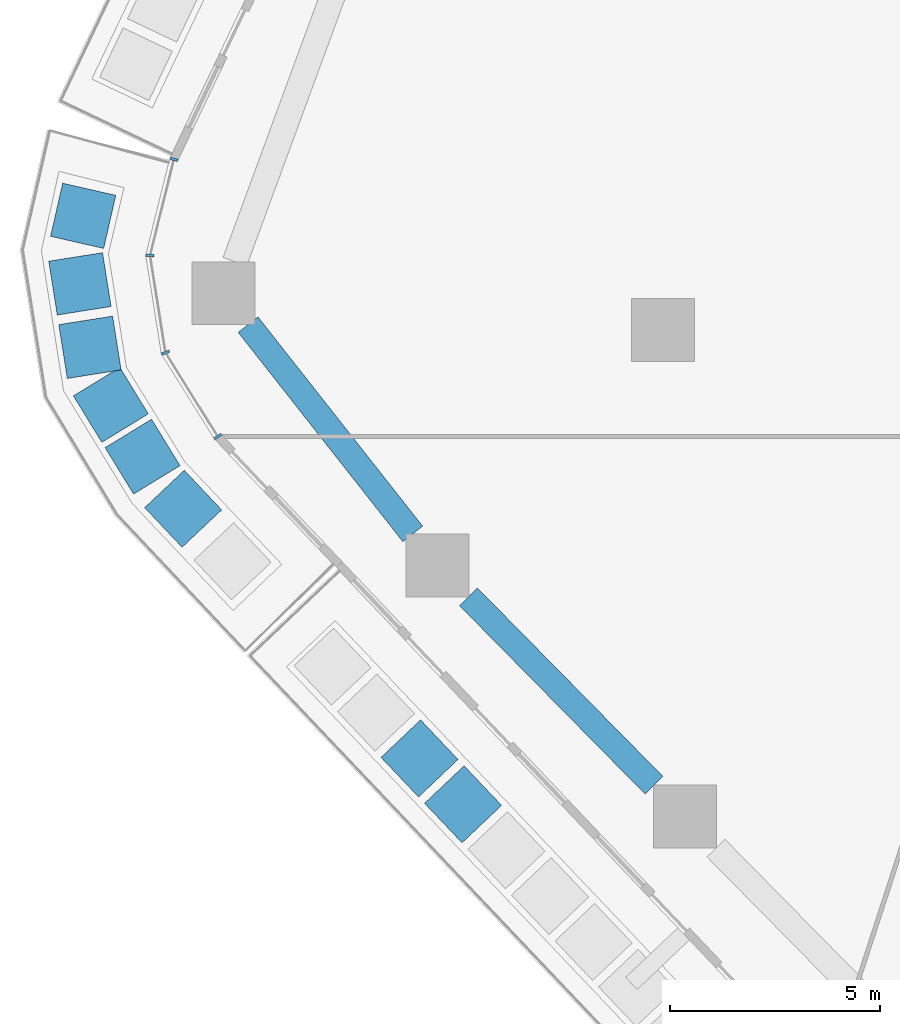
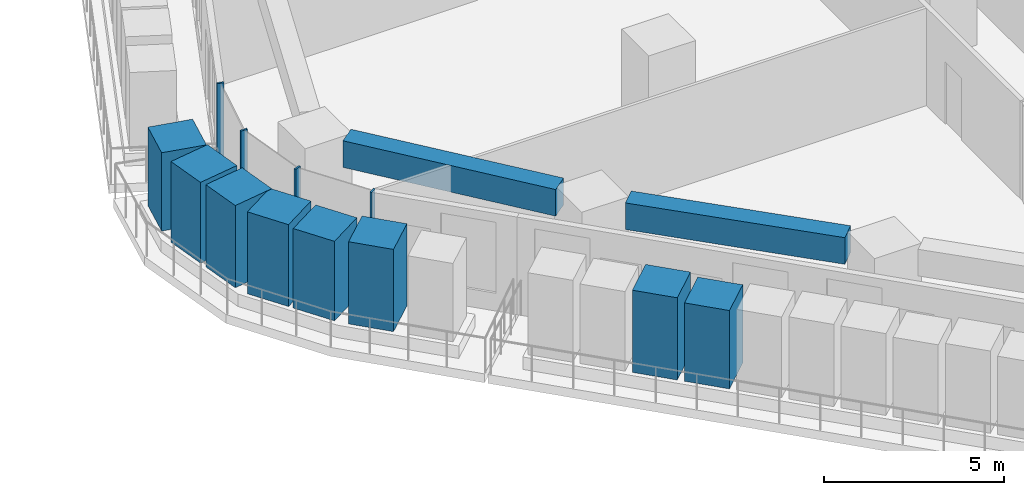
# One storey, part 3 of 24: 12 members, 2 beams, 1 element without a shape of its own.
"""IFC4 building model written with IfcOpenShell, lengths in metres."""

from ifc_helpers import new_model, si_unit, direction, frame, origin, origin_2d, place, context, subcontext, project, spatial, rectangle, extrude, material, layer, layer_set, material_profile, profile_set, type_object, element, aggregate, save


model = new_model("IFC4")

# Units and contexts
model_context = context("Model", 3, precision=1e-05, world=origin(), true_north=direction((0.0, 1.0)))
body_context = subcontext(model_context, "Body", "Model", "MODEL_VIEW")
ifc_project = project(units=[si_unit("LENGTHUNIT", "METRE"), si_unit("AREAUNIT", "SQUARE_METRE"), si_unit("VOLUMEUNIT", "CUBIC_METRE"), si_unit("PLANEANGLEUNIT", "RADIAN"), si_unit("MASSUNIT", "GRAM", prefix="KILO")], contexts=[model_context])

# Site, building, storey
site_placement = place(None, origin())
site = spatial("IfcSite", under=ifc_project, at=site_placement, CompositionType="ELEMENT")
building_placement = place(site_placement, origin())
building = spatial("IfcBuilding", under=site, at=building_placement, Name="Dongbaek Canopy Tower", CompositionType="ELEMENT")
storey_placement = place(building_placement, frame((0.0, 0.0, 44.0)))
storey = spatial("IfcBuildingStorey", under=building, at=storey_placement, Name="L06", CompositionType="ELEMENT", Elevation=44.0)

# Curtain wall, members
ifc_material_1 = material(Name="Aluminium 6063-T6 pale anodised", Category="aluminium")
ifc_layer = layer(ifc_material_1, 0.199951171875)
ifc_layer_set = layer_set([ifc_layer], Name="CW-1 unitised tower curtain wall")
curtain_wall_type = type_object("IfcCurtainWallType", Name="CW-1 unitised tower curtain wall", PredefinedType="NOTDEFINED", material=ifc_layer_set)
curtain_wall_placement = place(storey_placement, origin())
curtain_wall = element("IfcCurtainWall", 1, at=curtain_wall_placement, inside=storey, type_object=curtain_wall_type, Name="CW-1 curtain wall K3.1", PredefinedType="NOTDEFINED")
ifc_material_2 = material(Name="Aluminium 6063-T6 pale anodised", Category="aluminium")
ifc_material_profile_1 = material_profile(ifc_material_2, rectangle(XDim=0.199951171875, YDim=0.06005859375, at=origin_2d()), Name="CW-1 mullion 60 x 200")
ifc_profile_set_1 = profile_set([ifc_material_profile_1], Name="Aluminium 6063-T6 pale anodised")
member_type_1 = type_object("IfcMemberType", Name="CW-1 mullion 60 x 200", PredefinedType="MULLION", material=ifc_profile_set_1)
member_1_placement = place(storey_placement, frame((-38.669677734375, -4.930908203125, 0.0), z_axis=(0.0, 0.0, 1.0), x_axis=(-0.970441779727, 0.241335352072, 0.0)))
member_1 = element("IfcMember", 2, at=member_1_placement, type_object=member_type_1, Name="CW-1 mullion K3.1.1", PredefinedType="MULLION", context=body_context, shape_type="SweptSolid", body=[
    extrude(rectangle(XDim=0.199951171875, YDim=0.06005859375, at=origin_2d()), origin(), (0.0, 0.0, 1.0), 3.300048828125),
])
member_2_placement = place(storey_placement, frame((-39.2392578125, -7.220947265625, 0.0), z_axis=(0.0, 0.0, 1.0), x_axis=(-0.999066033636, 0.043209494732, 0.0)))
member_2 = element("IfcMember", 3, at=member_2_placement, type_object=member_type_1, Name="CW-1 mullion K3.1.2", PredefinedType="MULLION", context=body_context, shape_type="SweptSolid", body=[
    extrude(rectangle(XDim=0.199951171875, YDim=0.06005859375, at=origin_2d()), origin(), (0.0, 0.0, 1.0), 3.300048828125),
])
member_3_placement = place(storey_placement, frame((-38.87109375, -9.54150390625, 0.0), z_axis=(0.0, 0.0, 1.0), x_axis=(-0.936664509002, -0.350227922324, 0.0)))
member_3 = element("IfcMember", 4, at=member_3_placement, type_object=member_type_1, Name="CW-1 mullion K3.1.3", PredefinedType="MULLION", context=body_context, shape_type="SweptSolid", body=[
    extrude(rectangle(XDim=0.199951171875, YDim=0.06005859375, at=origin_2d()), origin(), (0.0, 0.0, 1.0), 3.300048828125),
])
member_4_placement = place(storey_placement, frame((-37.62109375, -11.54296875, 0.0), z_axis=(0.0, 0.0, 1.0), x_axis=(-0.848139359431, -0.52977318447, 0.0)))
member_4 = element("IfcMember", 5, at=member_4_placement, type_object=member_type_1, Name="CW-1 mullion K3.1.4", PredefinedType="MULLION", context=body_context, shape_type="SweptSolid", body=[
    extrude(rectangle(XDim=0.199951171875, YDim=0.06005859375, at=origin_2d()), origin(), (0.0, 0.0, 1.0), 3.300048828125),
])
aggregate(curtain_wall, [member_1, member_2, member_3, member_4])

# Beams
ifc_material_3 = material(Name="Concrete C80", Category="concrete")
ifc_material_profile_2 = material_profile(ifc_material_3, rectangle(XDim=0.60009765625, YDim=0.89990234375, at=origin_2d()), Name="RC EDGE BEAM 600x900 C80")
ifc_profile_set_2 = profile_set([ifc_material_profile_2], Name="Concrete C80")
beam_type = type_object("IfcBeamType", Name="RC EDGE BEAM 600x900 C80", PredefinedType="BEAM", material=ifc_profile_set_2)
beam_1_placement = place(storey_placement, frame((-27.216552734375, -19.85791015625, 2.85009765625), z_axis=(-0.701687682569, 0.712484663787, 0.0), x_axis=(-0.712484663787, -0.701687682569, 0.0)))
element("IfcBeam", 6, at=beam_1_placement, inside=storey, type_object=beam_type, Name="EDGEBEAM:L06:06", PredefinedType="BEAM", context=body_context, shape_type="SweptSolid", body=[
    extrude(rectangle(XDim=0.60009765625, YDim=0.89990234375, at=origin_2d()), origin(), (0.0, 0.0, 1.0), 6.308837890625),
])
beam_2_placement = place(storey_placement, frame((-32.97216796875, -13.863037109375, 2.85009765625), z_axis=(-0.618386857787, 0.785873841094, 0.0), x_axis=(-0.785873841094, -0.618386857787, 0.0)))
element("IfcBeam", 7, at=beam_2_placement, inside=storey, type_object=beam_type, Name="EDGEBEAM:L06:07", PredefinedType="BEAM", context=body_context, shape_type="SweptSolid", body=[
    extrude(rectangle(XDim=0.60009765625, YDim=0.89990234375, at=origin_2d()), origin(), (0.0, 0.0, 1.0), 6.349609375),
])

# Members
ifc_material_4 = material(Name="Concrete C40/50 planter mass with planting", Category="concrete")
ifc_material_profile_3 = material_profile(ifc_material_4, rectangle(XDim=1.300048828125, YDim=1.300048828125, at=origin_2d()), Name="Terrace PLANTER shrub mass 1300 x 1300")
ifc_profile_set_3 = profile_set([ifc_material_profile_3], Name="Concrete C40/50 planter mass with planting")
member_type_2 = type_object("IfcMemberType", Name="Terrace PLANTER shrub mass 1300 x 1300", PredefinedType="USERDEFINED", material=ifc_profile_set_3)
member_5_placement = place(storey_placement, frame((-32.80908203125, -19.21875, 0.419921875), z_axis=(0.0, 0.0, 1.0), x_axis=(-0.725626548924, -0.688088738098, 0.0)))
element("IfcMember", 8, at=member_5_placement, inside=storey, type_object=member_type_2, Name="Planter shrubs L06 3.3", ObjectType="PLANTER", PredefinedType="USERDEFINED", context=body_context, shape_type="SweptSolid", body=[
    extrude(rectangle(XDim=1.300048828125, YDim=1.300048828125, at=origin_2d()), origin(), (0.0, 0.0, 1.0), 2.780029296875),
])
for number, where, z_axis, x_axis, name in (
    (9, (-31.771240234375, -20.313232421875, 0.419921875), (0.0, 0.0, 1.0), (-0.725626548924, -0.688088738098, 0.0), "Planter shrubs L06 3.4"),
    (10, (-40.83154296875, -6.27734375, 0.419921875), (0.0, 0.0, 1.0), (-0.97486421454, 0.222799827668, 0.0), "Planter shrubs L06 6.1"),
):
    element("IfcMember", number, at=place(storey_placement, frame(where, z_axis=z_axis, x_axis=x_axis)), inside=storey, type_object=member_type_2, Name=name, ObjectType="PLANTER", PredefinedType="USERDEFINED", context=body_context, shape_type="SweptSolid", body=[
        extrude(rectangle(XDim=1.300048828125, YDim=1.300048828125, at=origin_2d()), origin(), (0.0, 0.0, 1.0), 2.650146484375),
    ])
member_6_placement = place(storey_placement, frame((-40.90966796875, -7.89990234375, 0.419921875), z_axis=(0.0, 0.0, 1.0), x_axis=(-0.98765451131, -0.156647905474, 0.0)))
element("IfcMember", 11, at=member_6_placement, inside=storey, type_object=member_type_2, Name="Planter shrubs L06 6.2", ObjectType="PLANTER", PredefinedType="USERDEFINED", context=body_context, shape_type="SweptSolid", body=[
    extrude(rectangle(XDim=1.300048828125, YDim=1.300048828125, at=origin_2d()), origin(), (0.0, 0.0, 1.0), 2.72998046875),
])
member_7_placement = place(storey_placement, frame((-40.669677734375, -9.412841796875, 0.419921875), z_axis=(0.0, 0.0, 1.0), x_axis=(-0.98765451131, -0.156647905474, 0.0)))
element("IfcMember", 12, at=member_7_placement, inside=storey, type_object=member_type_2, Name="Planter shrubs L06 6.3", ObjectType="PLANTER", PredefinedType="USERDEFINED", context=body_context, shape_type="SweptSolid", body=[
    extrude(rectangle(XDim=1.300048828125, YDim=1.300048828125, at=origin_2d()), origin(), (0.0, 0.0, 1.0), 2.780029296875),
])
member_8_placement = place(storey_placement, frame((-40.171630859375, -10.786376953125, 0.419921875), z_axis=(0.0, 0.0, 1.0), x_axis=(-0.852748721885, -0.522321373604, 0.0)))
element("IfcMember", 13, at=member_8_placement, inside=storey, type_object=member_type_2, Name="Planter shrubs L06 6.4", ObjectType="PLANTER", PredefinedType="USERDEFINED", context=body_context, shape_type="SweptSolid", body=[
    extrude(rectangle(XDim=1.300048828125, YDim=1.300048828125, at=origin_2d()), origin(), (0.0, 0.0, 1.0), 2.77001953125),
])
member_9_placement = place(storey_placement, frame((-39.415283203125, -12.021240234375, 0.419921875), z_axis=(0.0, 0.0, 1.0), x_axis=(-0.852748721885, -0.522321373604, 0.0)))
element("IfcMember", 14, at=member_9_placement, inside=storey, type_object=member_type_2, Name="Planter shrubs L06 6.5", ObjectType="PLANTER", PredefinedType="USERDEFINED", context=body_context, shape_type="SweptSolid", body=[
    extrude(rectangle(XDim=1.300048828125, YDim=1.300048828125, at=origin_2d()), origin(), (0.0, 0.0, 1.0), 2.690185546875),
])
member_10_placement = place(storey_placement, frame((-38.44677734375, -13.26416015625, 0.419921875), z_axis=(0.0, 0.0, 1.0), x_axis=(-0.727322068282, -0.686296298248, 0.0)))
element("IfcMember", 15, at=member_10_placement, inside=storey, type_object=member_type_2, Name="Planter shrubs L06 6.6", ObjectType="PLANTER", PredefinedType="USERDEFINED", context=body_context, shape_type="SweptSolid", body=[
    extrude(rectangle(XDim=1.300048828125, YDim=1.300048828125, at=origin_2d()), origin(), (0.0, 0.0, 1.0), 2.780029296875),
])

save(model, "model.ifc")
